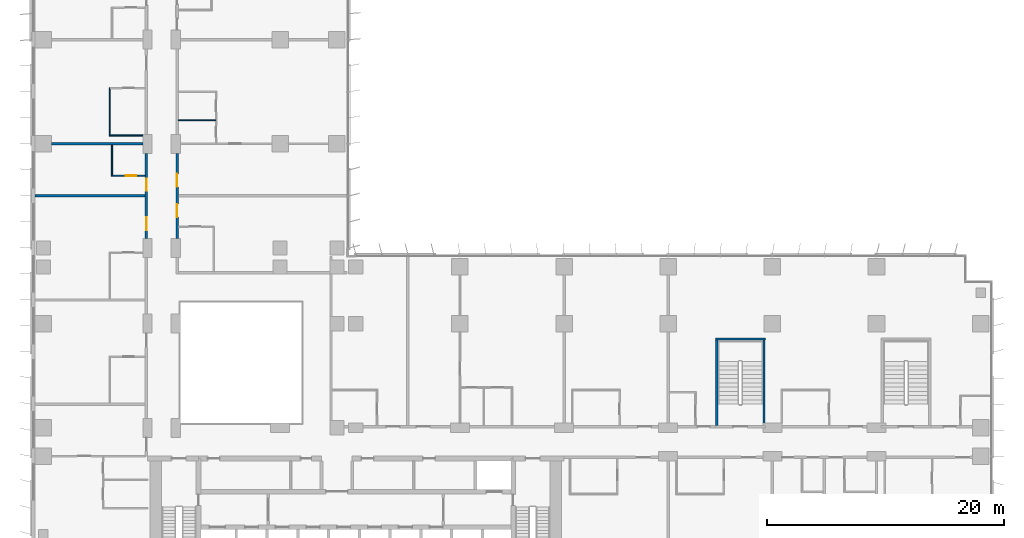
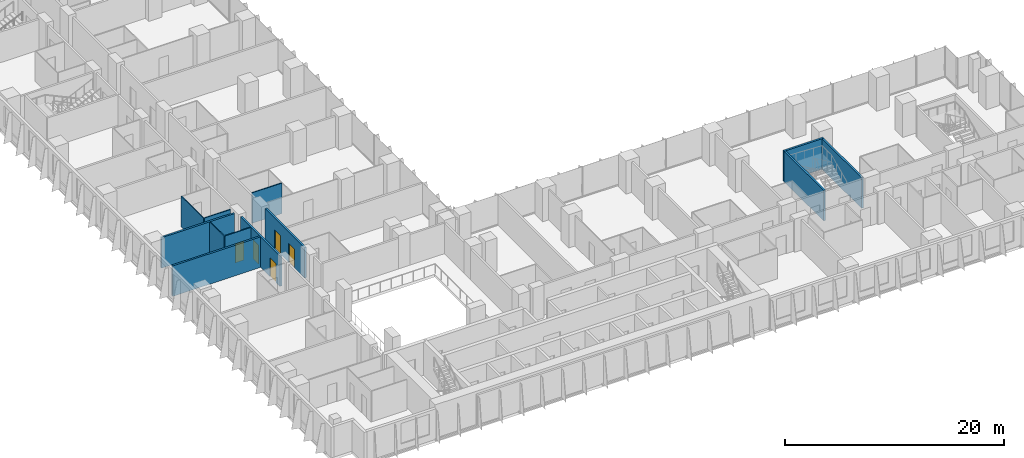
# One storey, part 15 of 24: 12 walls, 5 doors, 5 openings.
"""IFC4 building model written with IfcOpenShell, lengths in metres."""

from ifc_helpers import new_model, si_unit, direction, frame, frame_2d, origin, place, context, subcontext, project, spatial, rectangle, extrude, material, layer, layer_set, type_object, element, fill, save


model = new_model("IFC4")

# Units and contexts
model_context = context("Model", 3, precision=1e-05, world=origin(), true_north=direction((0.0, 1.0)))
body_context = subcontext(model_context, "Body", "Model", "MODEL_VIEW")
ifc_project = project(units=[si_unit("LENGTHUNIT", "METRE"), si_unit("AREAUNIT", "SQUARE_METRE"), si_unit("VOLUMEUNIT", "CUBIC_METRE"), si_unit("PLANEANGLEUNIT", "RADIAN"), si_unit("MASSUNIT", "GRAM", prefix="KILO")], contexts=[model_context])

# Site, building, storey
site_placement = place(None, origin())
site = spatial("IfcSite", under=ifc_project, at=site_placement, CompositionType="ELEMENT")
building_placement = place(site_placement, origin())
building = spatial("IfcBuilding", under=site, at=building_placement, Name="Kemantara Hotel Tower", CompositionType="ELEMENT")
storey_placement = place(building_placement, frame((0.0, 0.0, 41.39990234375)))
storey = spatial("IfcBuildingStorey", under=building, at=storey_placement, Name="L08", CompositionType="ELEMENT", Elevation=41.39990234375)

# Wall, openings, doors
ifc_material_1 = material(Name="Gypsum board partition, steel studs and mineral wool, 200 mm", Category="steel")
ifc_layer_1 = layer(ifc_material_1, 0.199951171875)
ifc_layer_set_1 = layer_set([ifc_layer_1], Name="Gypsum board partition, steel studs and mineral wool, 200 mm")
wall_type_1 = type_object("IfcWallType", Name="CORRIDOR WALL 200", PredefinedType="PARTITIONING", material=ifc_layer_set_1)
wall_1_placement = place(storey_placement, frame((9.699951171875, 28.2001953125, 0.0), z_axis=(0.0, 0.0, 1.0), x_axis=(0.0, 1.0, 0.0)))
wall_1 = element("IfcWall", 1, at=wall_1_placement, inside=storey, type_object=wall_type_1, Name="CORRIDOR WALL 200 027", PredefinedType="PARTITIONING", context=body_context, shape_type="SweptSolid", body=[
    extrude(rectangle(XDim=7.19970703125, YDim=0.199951171875, at=frame_2d((3.599853515625, 0.0))), origin(), (0.0, 0.0, 1.0), 3.400146484375),
])
opening_1_placement = place(wall_1_placement, frame((0.699951171875, 0.0, 0.0)))
opening_1 = element("IfcOpeningElement", 2, at=opening_1_placement, cuts=wall_1, Name="Opening F02-031", PredefinedType="OPENING", context=body_context, shape_type="SweptSolid", body=[
    extrude(rectangle(XDim=1.10009765625, YDim=2.10009765625, at=frame_2d((0.550048828125, 1.050048828125))), frame((0.0, 0.10986328125, 0.0), z_axis=(0.0, -1.0, 0.0), x_axis=(1.0, 0.0, 0.0)), (0.0, 0.0, 1.0), 0.219970703125),
])
opening_2_placement = place(wall_1_placement, frame((4.0498046875, 0.0, 0.0)))
opening_2 = element("IfcOpeningElement", 3, at=opening_2_placement, cuts=wall_1, Name="Opening F02-033", PredefinedType="OPENING", context=body_context, shape_type="SweptSolid", body=[
    extrude(rectangle(XDim=1.0, YDim=2.10009765625, at=frame_2d((0.5, 1.050048828125))), frame((0.0, 0.10986328125, 0.0), z_axis=(0.0, -1.0, 0.0), x_axis=(1.0, 0.0, 0.0)), (0.0, 0.0, 1.0), 0.219970703125),
])
ifc_material_2 = material(Name="Hardwood veneer door leaf with steel frame", Category="steel")
door_type_1 = type_object("IfcDoorType", Name="GUEST ROOM DOOR 1000 X 2100 FD30S", OperationType="NOTDEFINED", PredefinedType="DOOR", material=ifc_material_2)
door_1_placement = place(opening_2_placement, origin())
door_1 = element("IfcDoor", 4, at=door_1_placement, inside=storey, type_object=door_type_1, Name="GUEST ROOM DOOR F02-033", OperationType="SINGLE_SWING_LEFT", OverallHeight=2.10009765625, OverallWidth=1.0, PredefinedType="DOOR", context=body_context, shape_type="SweptSolid", body=[
    extrude(rectangle(XDim=1.0, YDim=2.10009765625, at=frame_2d((0.5, 1.050048828125))), frame((0.0, 0.02490234375, 0.0), z_axis=(0.0, -1.0, 0.0), x_axis=(1.0, 0.0, 0.0)), (0.0, 0.0, 1.0), 0.050048828125),
])
fill(opening_2, door_1)
door_type_2 = type_object("IfcDoorType", Name="SUITE ENTRANCE DOOR 1100 X 2100 FD30S", OperationType="NOTDEFINED", PredefinedType="DOOR", material=ifc_material_2)
door_2_placement = place(opening_1_placement, origin())
door_2 = element("IfcDoor", 5, at=door_2_placement, inside=storey, type_object=door_type_2, Name="SUITE ENTRANCE DOOR F02-031", OperationType="SINGLE_SWING_RIGHT", OverallHeight=2.10009765625, OverallWidth=1.10009765625, PredefinedType="DOOR", context=body_context, shape_type="SweptSolid", body=[
    extrude(rectangle(XDim=1.10009765625, YDim=2.10009765625, at=frame_2d((0.550048828125, 1.050048828125))), frame((0.0, 0.02490234375, 0.0), z_axis=(0.0, -1.0, 0.0), x_axis=(1.0, 0.0, 0.0)), (0.0, 0.0, 1.0), 0.050048828125),
])
fill(opening_1, door_2)

wall_2_placement = place(storey_placement, frame((12.300048828125, 35.39990234375, 0.0), z_axis=(0.0, 0.0, 1.0), x_axis=(0.0, -1.0, 0.0)))
wall_2 = element("IfcWall", 6, at=wall_2_placement, inside=storey, type_object=wall_type_1, Name="CORRIDOR WALL 200 044", PredefinedType="PARTITIONING", context=body_context, shape_type="SweptSolid", body=[
    extrude(rectangle(XDim=7.19970703125, YDim=0.199951171875, at=frame_2d((3.599853515625, 0.0))), origin(), (0.0, 0.0, 1.0), 3.400146484375),
])
opening_3_placement = place(wall_2_placement, frame((4.2998046875, 0.0, 0.0)))
opening_3 = element("IfcOpeningElement", 7, at=opening_3_placement, cuts=wall_2, Name="Opening F02-045", PredefinedType="OPENING", context=body_context, shape_type="SweptSolid", body=[
    extrude(rectangle(XDim=1.10009765625, YDim=2.10009765625, at=frame_2d((0.550048828125, 1.050048828125))), frame((0.0, 0.10986328125, 0.0), z_axis=(0.0, -1.0, 0.0), x_axis=(1.0, 0.0, 0.0)), (0.0, 0.0, 1.0), 0.219970703125),
])
opening_4_placement = place(wall_2_placement, frame((1.75, 0.0, 0.0)))
opening_4 = element("IfcOpeningElement", 8, at=opening_4_placement, cuts=wall_2, Name="Opening F02-047", PredefinedType="OPENING", context=body_context, shape_type="SweptSolid", body=[
    extrude(rectangle(XDim=1.10009765625, YDim=2.10009765625, at=frame_2d((0.550048828125, 1.050048828125))), frame((0.0, 0.10986328125, 0.0), z_axis=(0.0, -1.0, 0.0), x_axis=(1.0, 0.0, 0.0)), (0.0, 0.0, 1.0), 0.219970703125),
])
door_3_placement = place(opening_3_placement, origin())
door_3 = element("IfcDoor", 9, at=door_3_placement, inside=storey, type_object=door_type_2, Name="SUITE ENTRANCE DOOR F02-045", OperationType="SINGLE_SWING_LEFT", OverallHeight=2.10009765625, OverallWidth=1.10009765625, PredefinedType="DOOR", context=body_context, shape_type="SweptSolid", body=[
    extrude(rectangle(XDim=1.10009765625, YDim=2.10009765625, at=frame_2d((0.550048828125, 1.050048828125))), frame((0.0, 0.02490234375, 0.0), z_axis=(0.0, -1.0, 0.0), x_axis=(1.0, 0.0, 0.0)), (0.0, 0.0, 1.0), 0.050048828125),
])
fill(opening_3, door_3)
door_4_placement = place(opening_4_placement, origin())
door_4 = element("IfcDoor", 10, at=door_4_placement, inside=storey, type_object=door_type_2, Name="SUITE ENTRANCE DOOR F02-047", OperationType="SINGLE_SWING_RIGHT", OverallHeight=2.10009765625, OverallWidth=1.10009765625, PredefinedType="DOOR", context=body_context, shape_type="SweptSolid", body=[
    extrude(rectangle(XDim=1.10009765625, YDim=2.10009765625, at=frame_2d((0.550048828125, 1.050048828125))), frame((0.0, 0.02490234375, 0.0), z_axis=(0.0, -1.0, 0.0), x_axis=(1.0, 0.0, 0.0)), (0.0, 0.0, 1.0), 0.050048828125),
])
fill(opening_4, door_4)

# Walls
ifc_material_3 = material(Name="Concrete fc 40 MPa", Category="concrete")
ifc_layer_2 = layer(ifc_material_3, 0.199951171875)
ifc_layer_set_2 = layer_set([ifc_layer_2], Name="Concrete fc 40 MPa")
wall_type_2 = type_object("IfcWallType", Name="Concrete stair wall 200 mm", PredefinedType="SHEAR", material=ifc_layer_set_2)
wall_3_placement = place(storey_placement, frame((57.800048828125, 19.699951171875, 0.0), z_axis=(0.0, 0.0, 1.0), x_axis=(1.0, 0.0, 0.0)))
element("IfcWall", 11, at=wall_3_placement, inside=storey, type_object=wall_type_2, Name="Stair ST3 enclosure wall N", PredefinedType="SHEAR", context=body_context, shape_type="SweptSolid", body=[
    extrude(rectangle(XDim=4.199951171875, YDim=0.199951171875, at=frame_2d((2.10009765625, 0.0))), origin(), (0.0, 0.0, 1.0), 3.400146484375),
])
for number, where, z_axis, x_axis, name in (
    (12, (57.89990234375, 12.39990234375, 0.0), (0.0, 0.0, 1.0), (0.0, 1.0, 0.0), "Stair ST3 enclosure wall W"),
    (13, (61.89990234375, 12.39990234375, 0.0), (0.0, 0.0, 1.0), (0.0, 1.0, 0.0), "Stair ST3 enclosure wall E"),
):
    element("IfcWall", number, at=place(storey_placement, frame(where, z_axis=z_axis, x_axis=x_axis)), inside=storey, type_object=wall_type_2, Name=name, PredefinedType="SHEAR", context=body_context, shape_type="SweptSolid", body=[
        extrude(rectangle(XDim=7.2001953125, YDim=0.199951171875, at=frame_2d((3.60009765625, 0.0))), origin(), (0.0, 0.0, 1.0), 3.400146484375),
    ])
ifc_layer_3 = layer(ifc_material_1, 0.199951171875)
ifc_layer_set_3 = layer_set([ifc_layer_3], Name="Gypsum board partition, steel studs and mineral wool, 200 mm")
wall_type_3 = type_object("IfcWallType", Name="GUEST ROOM PARTY WALL 200", PredefinedType="PARTITIONING", material=ifc_layer_set_3)
wall_4_placement = place(storey_placement, frame((0.31005859375, 31.800048828125, 0.0), z_axis=(0.0, 0.0, 1.0), x_axis=(1.0, 0.0, 0.0)))
element("IfcWall", 14, at=wall_4_placement, inside=storey, type_object=wall_type_3, Name="GUEST ROOM PARTY WALL 200 035", PredefinedType="PARTITIONING", context=body_context, shape_type="SweptSolid", body=[
    extrude(rectangle(XDim=9.2900390625, YDim=0.199951171875, at=frame_2d((4.64501953125, 0.0))), origin(), (0.0, 0.0, 1.0), 3.400146484375),
])
wall_5_placement = place(storey_placement, frame((1.7001953125, 36.199951171875, 0.0), z_axis=(0.0, 0.0, 1.0), x_axis=(1.0, 0.0, 0.0)))
element("IfcWall", 15, at=wall_5_placement, inside=storey, type_object=wall_type_3, Name="GUEST ROOM PARTY WALL 200 037", PredefinedType="PARTITIONING", context=body_context, shape_type="SweptSolid", body=[
    extrude(rectangle(XDim=7.69970703125, YDim=0.199951171875, at=frame_2d((3.849853515625, 0.0))), origin(), (0.0, 0.0, 1.0), 3.400146484375),
])
ifc_material_4 = material(Name="Gypsum board partition on steel studs, 100 mm", Category="steel")
ifc_layer_4 = layer(ifc_material_4, 0.10009765625)
ifc_layer_set_4 = layer_set([ifc_layer_4], Name="Gypsum board partition on steel studs, 100 mm")
wall_type_4 = type_object("IfcWallType", Name="ROOM PARTITION 100", PredefinedType="PARTITIONING", material=ifc_layer_set_4)
wall_6_placement = place(storey_placement, frame((6.60009765625, 36.85009765625, 0.0), z_axis=(0.0, 0.0, 1.0), x_axis=(0.0, 1.0, 0.0)))
element("IfcWall", 16, at=wall_6_placement, inside=storey, type_object=wall_type_4, Name="ROOM PARTITION 100 093", PredefinedType="PARTITIONING", context=body_context, shape_type="SweptSolid", body=[
    extrude(rectangle(XDim=4.099853515625, YDim=0.10009765625, at=frame_2d((2.0498046875, 0.0))), origin(), (0.0, 0.0, 1.0), 3.400146484375),
])
wall_7_placement = place(storey_placement, frame((6.800048828125, 33.449951171875, 0.0), z_axis=(0.0, 0.0, 1.0), x_axis=(0.0, 1.0, 0.0)))
element("IfcWall", 17, at=wall_7_placement, inside=storey, type_object=wall_type_4, Name="ROOM PARTITION 100 098", PredefinedType="PARTITIONING", context=body_context, shape_type="SweptSolid", body=[
    extrude(rectangle(XDim=2.650146484375, YDim=0.10009765625, at=frame_2d((1.3251953125, 0.0))), origin(), (0.0, 0.0, 1.0), 3.400146484375),
])

# Wall, opening, door
wall_8_placement = place(storey_placement, frame((6.85009765625, 33.5, 0.0), z_axis=(0.0, 0.0, 1.0), x_axis=(1.0, 0.0, 0.0)))
wall_8 = element("IfcWall", 18, at=wall_8_placement, inside=storey, type_object=wall_type_4, Name="ROOM PARTITION 100 100", PredefinedType="PARTITIONING", context=body_context, shape_type="SweptSolid", body=[
    extrude(rectangle(XDim=2.75, YDim=0.10009765625, at=frame_2d((1.375, 0.0))), origin(), (0.0, 0.0, 1.0), 3.400146484375),
])
opening_5_placement = place(wall_8_placement, frame((1.10009765625, 0.0, 0.0)))
opening_5 = element("IfcOpeningElement", 19, at=opening_5_placement, cuts=wall_8, Name="Opening F02-034", PredefinedType="OPENING", context=body_context, shape_type="SweptSolid", body=[
    extrude(rectangle(XDim=0.89990234375, YDim=2.10009765625, at=frame_2d((0.449951171875, 1.050048828125))), frame((0.0, 0.06005859375, 0.0), z_axis=(0.0, -1.0, 0.0), x_axis=(1.0, 0.0, 0.0)), (0.0, 0.0, 1.0), 0.1201171875),
])
door_type_3 = type_object("IfcDoorType", Name="BATHROOM DOOR 900 X 2100", OperationType="NOTDEFINED", PredefinedType="DOOR", material=ifc_material_2)
door_5_placement = place(opening_5_placement, origin())
door_5 = element("IfcDoor", 20, at=door_5_placement, inside=storey, type_object=door_type_3, Name="BATHROOM DOOR F02-034", OperationType="SINGLE_SWING_RIGHT", OverallHeight=2.10009765625, OverallWidth=0.89990234375, PredefinedType="DOOR", context=body_context, shape_type="SweptSolid", body=[
    extrude(rectangle(XDim=0.89990234375, YDim=2.10009765625, at=frame_2d((0.449951171875, 1.050048828125))), frame((0.0, 0.02490234375, 0.0), z_axis=(0.0, -1.0, 0.0), x_axis=(1.0, 0.0, 0.0)), (0.0, 0.0, 1.0), 0.050048828125),
])
fill(opening_5, door_5)

# Walls
wall_9_placement = place(storey_placement, frame((6.64990234375, 36.89990234375, 0.0), z_axis=(0.0, 0.0, 1.0), x_axis=(1.0, 0.0, 0.0)))
element("IfcWall", 21, at=wall_9_placement, inside=storey, type_object=wall_type_4, Name="ROOM PARTITION 100 101", PredefinedType="PARTITIONING", context=body_context, shape_type="SweptSolid", body=[
    extrude(rectangle(XDim=2.75, YDim=0.10009765625, at=frame_2d((1.375, 0.0))), origin(), (0.0, 0.0, 1.0), 3.400146484375),
])
wall_10_placement = place(storey_placement, frame((12.39990234375, 38.199951171875, 0.0), z_axis=(0.0, 0.0, 1.0), x_axis=(1.0, 0.0, 0.0)))
element("IfcWall", 22, at=wall_10_placement, inside=storey, type_object=wall_type_4, Name="ROOM PARTITION 100 117", PredefinedType="PARTITIONING", context=body_context, shape_type="SweptSolid", body=[
    extrude(rectangle(XDim=3.150146484375, YDim=0.10009765625, at=frame_2d((1.5751953125, 0.0))), origin(), (0.0, 0.0, 1.0), 3.400146484375),
])

save(model, "model.ifc")
